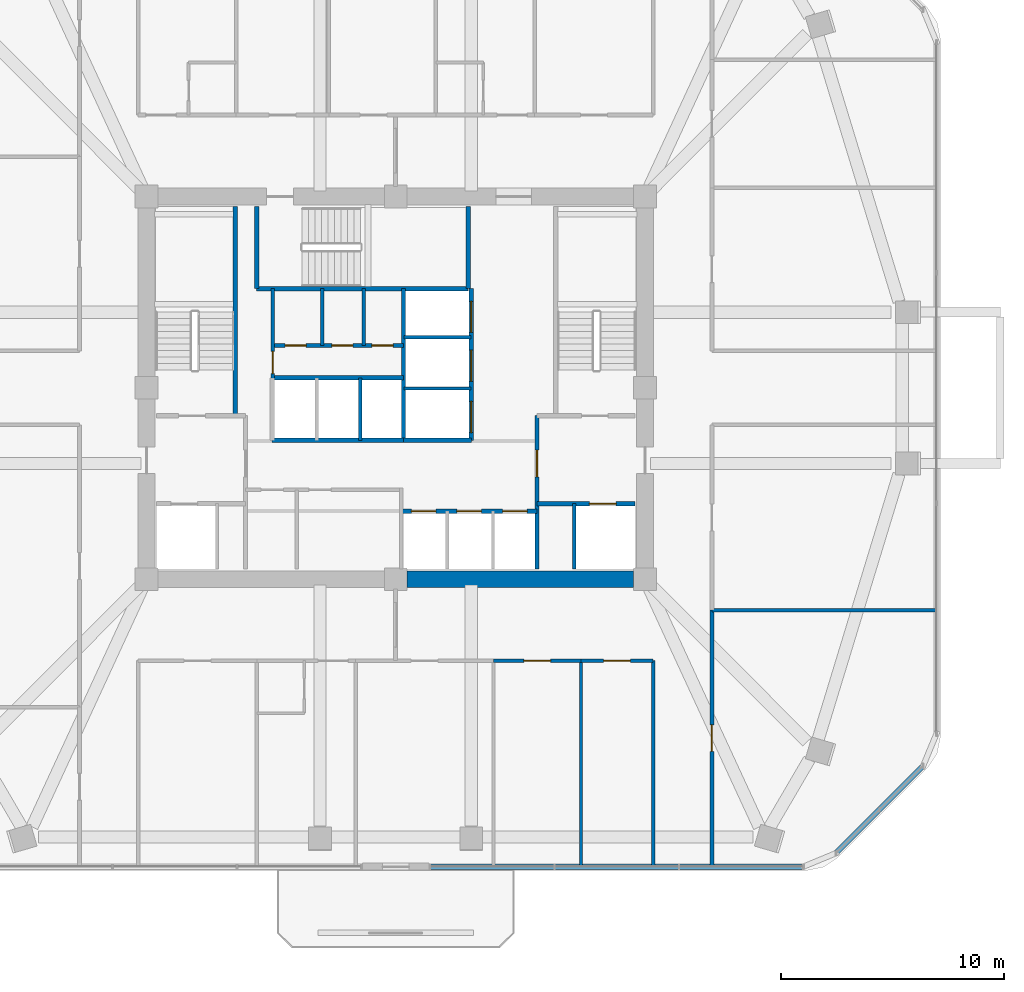
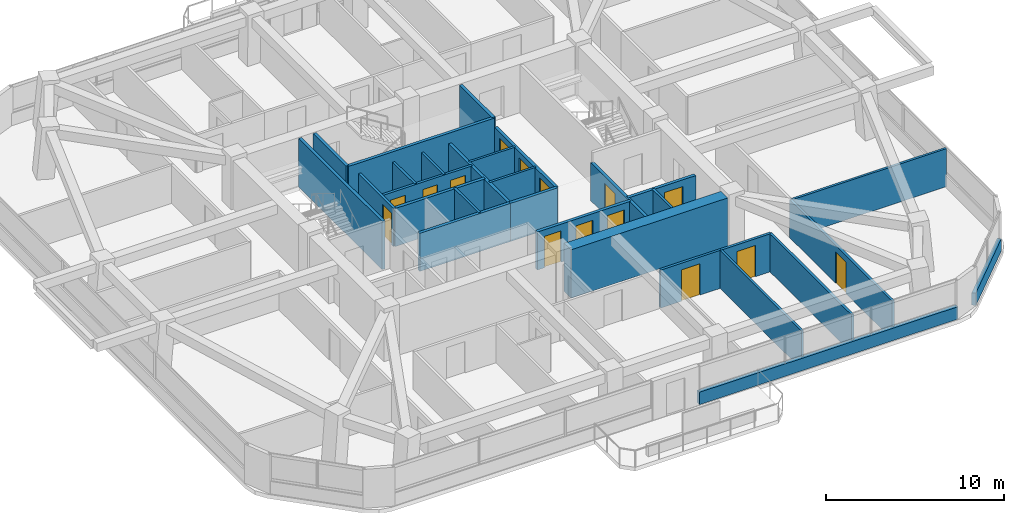
# One storey, part 9 of 13: 29 walls, 15 doors, 15 openings.
"""IFC4 building model written with IfcOpenShell, lengths in metres."""

from ifc_helpers import new_model, si_unit, derived_unit, direction, frame, frame_2d, origin, place, context, subcontext, project, spatial, rectangle, extrude, material, layer, layer_set, type_object, element, fill, save


model = new_model("IFC4")

# Units and contexts
model_context = context("Model", 3, precision=1e-05, world=origin(), true_north=direction((0.0, 1.0)))
body_context = subcontext(model_context, "Body", "Model", "MODEL_VIEW")
ifc_project = project(units=[si_unit("LENGTHUNIT", "METRE"), si_unit("AREAUNIT", "SQUARE_METRE"), si_unit("VOLUMEUNIT", "CUBIC_METRE"), si_unit("PLANEANGLEUNIT", "RADIAN"), si_unit("MASSUNIT", "GRAM", prefix="KILO"), derived_unit("THERMALTRANSMITTANCEUNIT", [(si_unit("POWERUNIT", "WATT"), 1), (si_unit("LENGTHUNIT", "METRE"), -2), (si_unit("THERMODYNAMICTEMPERATUREUNIT", "KELVIN"), -1)])], contexts=[model_context])

# Site, building, storey
site_placement = place(None, origin())
site = spatial("IfcSite", under=ifc_project, at=site_placement, CompositionType="ELEMENT")
building_placement = place(site_placement, origin())
building = spatial("IfcBuilding", under=site, at=building_placement, Name="Koralith Skygarden Medical Center", CompositionType="ELEMENT")
storey_placement = place(building_placement, frame((0.0, 0.0, 117.179931640625)))
storey = spatial("IfcBuildingStorey", under=building, at=storey_placement, Name="L30", CompositionType="ELEMENT", Elevation=117.179931640625)

# Walls
ifc_material_1 = material(Name="Gypsum Board Partition")
ifc_layer_1 = layer(ifc_material_1, 0.14990234375)
ifc_layer_set_1 = layer_set([ifc_layer_1], Name="Gypsum Board Partition")
wall_type_1 = type_object("IfcWallType", Name="Clinical Acoustic Partition 150", PredefinedType="PARTITIONING", material=ifc_layer_set_1)
for number, where, z_axis, x_axis, name in (
    (1, (33.699951171875, 27.800048828125, 0.0), (0.0, 0.0, 1.0), (0.0, 1.0, 0.0), "L30 Clinical Acoustic Partition 150 W-CORE-L30-FLEX-V2A"),
    (2, (35.56005859375, 27.800048828125, 0.0), (0.0, 0.0, 1.0), (0.0, 1.0, 0.0), "L30 Clinical Acoustic Partition 150 W-CORE-L30-FLEX-V2B"),
):
    element("IfcWall", number, at=place(storey_placement, frame(where, z_axis=z_axis, x_axis=x_axis)), inside=storey, type_object=wall_type_1, Name=name, PredefinedType="PARTITIONING", context=body_context, shape_type="SweptSolid", body=[
        extrude(rectangle(XDim=2.56005859375, YDim=0.14990234375, at=frame_2d((1.280029296875, 0.0))), origin(), (0.0, 0.0, 1.0), 2.610107421875),
    ])
wall_1_placement = place(storey_placement, frame((45.322998046875, 13.639892578125, 0.0), z_axis=(0.0, 0.0, 1.0), x_axis=(0.0, -1.0, 0.0)))
element("IfcWall", 3, at=wall_1_placement, inside=storey, type_object=wall_type_1, Name="L30 Clinical Acoustic Partition 150 W-PART-L30-S-04", PredefinedType="PARTITIONING", context=body_context, shape_type="SweptSolid", body=[
    extrude(rectangle(XDim=9.23193359375, YDim=0.14990234375, at=frame_2d((4.615966796875, 0.0))), origin(), (0.0, 0.0, 1.0), 2.610107421875),
])
wall_2_placement = place(storey_placement, frame((51.2099609375, 15.910888671875, 0.0), z_axis=(0.0, 0.0, 1.0), x_axis=(1.0, 0.0, 0.0)))
element("IfcWall", 4, at=wall_2_placement, inside=storey, type_object=wall_type_1, Name="L30 Clinical Acoustic Partition 150 W-PART-L30-ES-01", PredefinedType="PARTITIONING", context=body_context, shape_type="SweptSolid", body=[
    extrude(rectangle(XDim=10.072021484375, YDim=0.14990234375, at=frame_2d((5.0361328125, 0.0))), origin(), (0.0, 0.0, 1.0), 2.610107421875),
])
ifc_layer_2 = layer(ifc_material_1, 0.1650390625)
ifc_layer_set_2 = layer_set([ifc_layer_2], Name="Gypsum Board Partition")
wall_type_2 = type_object("IfcWallType", Name="Clinical Corridor Partition 165", PredefinedType="PARTITIONING", material=ifc_layer_set_2)
wall_3_placement = place(storey_placement, frame((48.570068359375, 4.407958984375, 0.0), z_axis=(0.0, 0.0, 1.0), x_axis=(0.0, 1.0, 0.0)))
element("IfcWall", 5, at=wall_3_placement, inside=storey, type_object=wall_type_2, Name="L30 Clinical Corridor Partition 165 W-HCOR-L30-SE", PredefinedType="PARTITIONING", context=body_context, shape_type="SweptSolid", body=[
    extrude(rectangle(XDim=9.23193359375, YDim=0.1650390625, at=frame_2d((4.615966796875, 0.0))), origin(), (0.0, 0.0, 1.0), 2.610107421875),
])

# Wall, opening, door
wall_4_placement = place(storey_placement, frame((41.39306640625, 13.639892578125, 0.0), z_axis=(0.0, 0.0, 1.0), x_axis=(1.0, 0.0, 0.0)))
wall_4 = element("IfcWall", 6, at=wall_4_placement, inside=storey, type_object=wall_type_2, Name="L30 Clinical Corridor Partition 165 W-CORR-L30-S-04", PredefinedType="PARTITIONING", context=body_context, shape_type="SweptSolid", body=[
    extrude(rectangle(XDim=3.929931640625, YDim=0.1650390625, at=frame_2d((1.96484375, 0.0))), origin(), (0.0, 0.0, 1.0), 2.610107421875),
])
opening_1_placement = place(wall_4_placement, frame((1.364990234375, 0.0, 0.0)))
opening_1 = element("IfcOpeningElement", 7, at=opening_1_placement, cuts=wall_4, Name="Opening D-CLN", PredefinedType="OPENING", context=body_context, shape_type="SweptSolid", body=[
    extrude(rectangle(XDim=1.199951171875, YDim=2.14990234375, at=frame_2d((0.60009765625, 1.074951171875))), frame((0.0, 0.092529296875, 0.0), z_axis=(0.0, -1.0, 0.0), x_axis=(1.0, 0.0, 0.0)), (0.0, 0.0, 1.0), 0.18505859375),
])
ifc_material_2 = material(Name="Aluminium 6063-T6", Category="aluminium")
door_type_1 = type_object("IfcDoorType", Name="Clinical Corridor Door D-CLN 1200", OperationType="NOTDEFINED", PredefinedType="DOOR", material=ifc_material_2)
door_1_placement = place(opening_1_placement, frame((1.199951171875, 0.0, 0.0), z_axis=(0.0, 0.0, 1.0), x_axis=(-1.0, 0.0, 0.0)))
door_1 = element("IfcDoor", 8, at=door_1_placement, inside=storey, type_object=door_type_1, Name="L30 Public Accessible Restroom WC 09 Door", OperationType="SINGLE_SWING_RIGHT", OverallHeight=2.14990234375, OverallWidth=1.199951171875, PredefinedType="DOOR", context=body_context, shape_type="SweptSolid", body=[
    extrude(rectangle(XDim=1.199951171875, YDim=2.14990234375, at=frame_2d((0.60009765625, 1.074951171875))), frame((0.0, 0.02490234375, 0.0), z_axis=(0.0, -1.0, 0.0), x_axis=(1.0, 0.0, 0.0)), (0.0, 0.0, 1.0), 0.050048828125),
])
fill(opening_1, door_1)

wall_5_placement = place(storey_placement, frame((45.322998046875, 13.639892578125, 0.0), z_axis=(0.0, 0.0, 1.0), x_axis=(1.0, 0.0, 0.0)))
wall_5 = element("IfcWall", 9, at=wall_5_placement, inside=storey, type_object=wall_type_2, Name="L30 Clinical Corridor Partition 165 W-CORR-L30-S-05", PredefinedType="PARTITIONING", context=body_context, shape_type="SweptSolid", body=[
    extrude(rectangle(XDim=3.2470703125, YDim=0.1650390625, at=frame_2d((1.62353515625, 0.0))), origin(), (0.0, 0.0, 1.0), 2.610107421875),
])
opening_2_placement = place(wall_5_placement, frame((1.02294921875, 0.0, 0.0)))
opening_2 = element("IfcOpeningElement", 10, at=opening_2_placement, cuts=wall_5, Name="Opening D-CLN", PredefinedType="OPENING", context=body_context, shape_type="SweptSolid", body=[
    extrude(rectangle(XDim=1.199951171875, YDim=2.14990234375, at=frame_2d((0.60009765625, 1.074951171875))), frame((0.0, 0.092529296875, 0.0), z_axis=(0.0, -1.0, 0.0), x_axis=(1.0, 0.0, 0.0)), (0.0, 0.0, 1.0), 0.18505859375),
])
door_2_placement = place(opening_2_placement, frame((1.199951171875, 0.0, 0.0), z_axis=(0.0, 0.0, 1.0), x_axis=(-1.0, 0.0, 0.0)))
door_2 = element("IfcDoor", 11, at=door_2_placement, inside=storey, type_object=door_type_1, Name="L30 Cardiopulmonary Rehab Gym Hall 10 Door", OperationType="SINGLE_SWING_LEFT", OverallHeight=2.14990234375, OverallWidth=1.199951171875, PredefinedType="DOOR", context=body_context, shape_type="SweptSolid", body=[
    extrude(rectangle(XDim=1.199951171875, YDim=2.14990234375, at=frame_2d((0.60009765625, 1.074951171875))), frame((0.0, 0.02490234375, 0.0), z_axis=(0.0, -1.0, 0.0), x_axis=(1.0, 0.0, 0.0)), (0.0, 0.0, 1.0), 0.050048828125),
])
fill(opening_2, door_2)

wall_6_placement = place(storey_placement, frame((51.2099609375, 4.407958984375, 0.0), z_axis=(0.0, 0.0, 1.0), x_axis=(0.0, 1.0, 0.0)))
wall_6 = element("IfcWall", 12, at=wall_6_placement, inside=storey, type_object=wall_type_2, Name="L30 Clinical Corridor Partition 165 W-CORR-L30-ES-01", PredefinedType="PARTITIONING", context=body_context, shape_type="SweptSolid", body=[
    extrude(rectangle(XDim=11.5029296875, YDim=0.1650390625, at=frame_2d((5.75146484375, 0.0))), origin(), (0.0, 0.0, 1.0), 2.610107421875),
])
opening_3_placement = place(wall_6_placement, frame((5.152099609375, 0.0, 0.0)))
opening_3 = element("IfcOpeningElement", 13, at=opening_3_placement, cuts=wall_6, Name="Opening D-CLN", PredefinedType="OPENING", context=body_context, shape_type="SweptSolid", body=[
    extrude(rectangle(XDim=1.199951171875, YDim=2.14990234375, at=frame_2d((0.60009765625, 1.074951171875))), frame((0.0, 0.092529296875, 0.0), z_axis=(0.0, -1.0, 0.0), x_axis=(1.0, 0.0, 0.0)), (0.0, 0.0, 1.0), 0.18505859375),
])
door_3_placement = place(opening_3_placement, origin())
door_3 = element("IfcDoor", 14, at=door_3_placement, inside=storey, type_object=door_type_1, Name="L30 Patient Rest Lounge 15 Door", OperationType="SINGLE_SWING_RIGHT", OverallHeight=2.14990234375, OverallWidth=1.199951171875, PredefinedType="DOOR", context=body_context, shape_type="SweptSolid", body=[
    extrude(rectangle(XDim=1.199951171875, YDim=2.14990234375, at=frame_2d((0.60009765625, 1.074951171875))), frame((0.0, 0.02490234375, 0.0), z_axis=(0.0, -1.0, 0.0), x_axis=(1.0, 0.0, 0.0)), (0.0, 0.0, 1.0), 0.050048828125),
])
fill(opening_3, door_3)

ifc_layer_3 = layer(ifc_material_1, 0.199951171875)
ifc_layer_set_3 = layer_set([ifc_layer_3], Name="Gypsum Board Partition")
wall_type_3 = type_object("IfcWallType", Name="Fire Shaft Wall 200", PredefinedType="SOLIDWALL", material=ifc_layer_set_3)
wall_7_placement = place(storey_placement, frame((43.35009765625, 20.699951171875, 0.0), z_axis=(0.0, 0.0, 1.0), x_axis=(1.0, 0.0, 0.0)))
wall_7 = element("IfcWall", 15, at=wall_7_placement, inside=storey, type_object=wall_type_3, Name="L30 Fire Shaft Wall 200 W-CORE-L30-FF2-N", PredefinedType="SOLIDWALL", context=body_context, shape_type="SweptSolid", body=[
    extrude(rectangle(XDim=4.39990234375, YDim=0.199951171875, at=frame_2d((2.199951171875, 0.0))), origin(), (0.0, 0.0, 1.0), 2.610107421875),
])
opening_4_placement = place(wall_7_placement, frame((2.35009765625, 0.0, 0.0)))
opening_4 = element("IfcOpeningElement", 16, at=opening_4_placement, cuts=wall_7, Name="Opening LD-FF", PredefinedType="OPENING", context=body_context, shape_type="SweptSolid", body=[
    extrude(rectangle(XDim=1.199951171875, YDim=2.14990234375, at=frame_2d((0.60009765625, 1.074951171875))), frame((0.0, 0.10986328125, 0.0), z_axis=(0.0, -1.0, 0.0), x_axis=(1.0, 0.0, 0.0)), (0.0, 0.0, 1.0), 0.219970703125),
])
ifc_material_3 = material(Name="Steel ASTM A500 Grade C", Category="steel")
door_type_2 = type_object("IfcDoorType", Name="Fire Lift Sliding Landing Door LD-FF 1200", OperationType="NOTDEFINED", PredefinedType="DOOR", material=ifc_material_3)
door_4_placement = place(opening_4_placement, origin())
door_4 = element("IfcDoor", 17, at=door_4_placement, inside=storey, type_object=door_type_2, Name="L30 Fire Service Elevator FF2 Landing Door", OperationType="SLIDING_TO_RIGHT", OverallHeight=2.14990234375, OverallWidth=1.199951171875, PredefinedType="DOOR", context=body_context, shape_type="SweptSolid", body=[
    extrude(rectangle(XDim=1.199951171875, YDim=2.14990234375, at=frame_2d((0.60009765625, 1.074951171875))), frame((0.0, 0.02490234375, 0.0), z_axis=(0.0, -1.0, 0.0), x_axis=(1.0, 0.0, 0.0)), (0.0, 0.0, 1.0), 0.050048828125),
])
fill(opening_4, door_4)

wall_8_placement = place(storey_placement, frame((43.35009765625, 17.75, 0.0), z_axis=(0.0, 0.0, 1.0), x_axis=(0.0, 1.0, 0.0)))
wall_8 = element("IfcWall", 18, at=wall_8_placement, inside=storey, type_object=wall_type_3, Name="L30 Fire Shaft Wall 200 W-CORE-L30-FSAEE-W", PredefinedType="SOLIDWALL", context=body_context, shape_type="SweptSolid", body=[
    extrude(rectangle(XDim=6.89990234375, YDim=0.199951171875, at=frame_2d((3.449951171875, 0.0))), origin(), (0.0, 0.0, 1.0), 2.610107421875),
])
opening_5_placement = place(wall_8_placement, frame((4.14990234375, 0.0, 0.0)))
opening_5 = element("IfcOpeningElement", 19, at=opening_5_placement, cuts=wall_8, Name="Opening D-ST60", PredefinedType="OPENING", context=body_context, shape_type="SweptSolid", body=[
    extrude(rectangle(XDim=1.199951171875, YDim=2.14990234375, at=frame_2d((0.60009765625, 1.074951171875))), frame((0.0, 0.10986328125, 0.0), z_axis=(0.0, -1.0, 0.0), x_axis=(1.0, 0.0, 0.0)), (0.0, 0.0, 1.0), 0.219970703125),
])
door_type_3 = type_object("IfcDoorType", Name="Smokeproof Stair Fire Door FD60S 1200", OperationType="NOTDEFINED", PredefinedType="DOOR", material=ifc_material_3)
door_5_placement = place(opening_5_placement, frame((1.199951171875, 0.0, 0.0), z_axis=(0.0, 0.0, 1.0), x_axis=(-1.0, 0.0, 0.0)))
door_5 = element("IfcDoor", 20, at=door_5_placement, inside=storey, type_object=door_type_3, Name="L30 East Firefighting Lobby Inner Fire Door", OperationType="SINGLE_SWING_RIGHT", OverallHeight=2.14990234375, OverallWidth=1.199951171875, PredefinedType="DOOR", context=body_context, shape_type="SweptSolid", body=[
    extrude(rectangle(XDim=1.199951171875, YDim=2.14990234375, at=frame_2d((0.60009765625, 1.074951171875))), frame((0.0, 0.02490234375, 0.0), z_axis=(0.0, -1.0, 0.0), x_axis=(1.0, 0.0, 0.0)), (0.0, 0.0, 1.0), 0.050048828125),
])
fill(opening_5, door_5)

# Wall, openings, doors
wall_9_placement = place(storey_placement, frame((37.25, 20.360107421875, 0.0), z_axis=(0.0, 0.0, 1.0), x_axis=(1.0, 0.0, 0.0)))
wall_9 = element("IfcWall", 21, at=wall_9_placement, inside=storey, type_object=wall_type_3, Name="L30 Fire Shaft Wall 200 W-CORE-L30-PM-N", PredefinedType="SOLIDWALL", context=body_context, shape_type="SweptSolid", body=[
    extrude(rectangle(XDim=6.10009765625, YDim=0.199951171875, at=frame_2d((3.050048828125, 0.0))), origin(), (0.0, 0.0, 1.0), 2.610107421875),
])
opening_6_placement = place(wall_9_placement, frame((0.449951171875, 0.0, 0.0)))
opening_6 = element("IfcOpeningElement", 22, at=opening_6_placement, cuts=wall_9, Name="Opening LD-P", PredefinedType="OPENING", context=body_context, shape_type="SweptSolid", body=[
    extrude(rectangle(XDim=1.10009765625, YDim=2.14990234375, at=frame_2d((0.550048828125, 1.074951171875))), frame((0.0, 0.10986328125, 0.0), z_axis=(0.0, -1.0, 0.0), x_axis=(1.0, 0.0, 0.0)), (0.0, 0.0, 1.0), 0.219970703125),
])
opening_7_placement = place(wall_9_placement, frame((2.5, 0.0, 0.0)))
opening_7 = element("IfcOpeningElement", 23, at=opening_7_placement, cuts=wall_9, Name="Opening LD-P", PredefinedType="OPENING", context=body_context, shape_type="SweptSolid", body=[
    extrude(rectangle(XDim=1.10009765625, YDim=2.14990234375, at=frame_2d((0.550048828125, 1.074951171875))), frame((0.0, 0.10986328125, 0.0), z_axis=(0.0, -1.0, 0.0), x_axis=(1.0, 0.0, 0.0)), (0.0, 0.0, 1.0), 0.219970703125),
])
opening_8_placement = place(wall_9_placement, frame((4.550048828125, 0.0, 0.0)))
opening_8 = element("IfcOpeningElement", 24, at=opening_8_placement, cuts=wall_9, Name="Opening LD-P", PredefinedType="OPENING", context=body_context, shape_type="SweptSolid", body=[
    extrude(rectangle(XDim=1.10009765625, YDim=2.14990234375, at=frame_2d((0.550048828125, 1.074951171875))), frame((0.0, 0.10986328125, 0.0), z_axis=(0.0, -1.0, 0.0), x_axis=(1.0, 0.0, 0.0)), (0.0, 0.0, 1.0), 0.219970703125),
])
door_type_4 = type_object("IfcDoorType", Name="Passenger Lift Sliding Landing Door LD-P 1100", OperationType="NOTDEFINED", PredefinedType="DOOR", material=ifc_material_3)
door_6_placement = place(opening_6_placement, origin())
door_6 = element("IfcDoor", 25, at=door_6_placement, inside=storey, type_object=door_type_4, Name="L30 Passenger Elevator PM1 Landing Door", OperationType="SLIDING_TO_LEFT", OverallHeight=2.14990234375, OverallWidth=1.10009765625, PredefinedType="DOOR", context=body_context, shape_type="SweptSolid", body=[
    extrude(rectangle(XDim=1.10009765625, YDim=2.14990234375, at=frame_2d((0.550048828125, 1.074951171875))), frame((0.0, 0.02490234375, 0.0), z_axis=(0.0, -1.0, 0.0), x_axis=(1.0, 0.0, 0.0)), (0.0, 0.0, 1.0), 0.050048828125),
])
fill(opening_6, door_6)
door_7_placement = place(opening_7_placement, origin())
door_7 = element("IfcDoor", 26, at=door_7_placement, inside=storey, type_object=door_type_4, Name="L30 Passenger Elevator PM2 Landing Door", OperationType="SLIDING_TO_LEFT", OverallHeight=2.14990234375, OverallWidth=1.10009765625, PredefinedType="DOOR", context=body_context, shape_type="SweptSolid", body=[
    extrude(rectangle(XDim=1.10009765625, YDim=2.14990234375, at=frame_2d((0.550048828125, 1.074951171875))), frame((0.0, 0.02490234375, 0.0), z_axis=(0.0, -1.0, 0.0), x_axis=(1.0, 0.0, 0.0)), (0.0, 0.0, 1.0), 0.050048828125),
])
fill(opening_7, door_7)
door_8_placement = place(opening_8_placement, origin())
door_8 = element("IfcDoor", 27, at=door_8_placement, inside=storey, type_object=door_type_4, Name="L30 Passenger Elevator PM3 Landing Door", OperationType="SLIDING_TO_LEFT", OverallHeight=2.14990234375, OverallWidth=1.10009765625, PredefinedType="DOOR", context=body_context, shape_type="SweptSolid", body=[
    extrude(rectangle(XDim=1.10009765625, YDim=2.14990234375, at=frame_2d((0.550048828125, 1.074951171875))), frame((0.0, 0.02490234375, 0.0), z_axis=(0.0, -1.0, 0.0), x_axis=(1.0, 0.0, 0.0)), (0.0, 0.0, 1.0), 0.050048828125),
])
fill(opening_8, door_8)

# Walls
for number, where, z_axis, x_axis, name in (
    (28, (31.449951171875, 23.5400390625, 0.0), (0.0, 0.0, 1.0), (1.0, 0.0, 0.0), "L30 Fire Shaft Wall 200 W-CORE-L30-PH-S"),
    (29, (31.449951171875, 26.35009765625, 0.0), (0.0, 0.0, 1.0), (1.0, 0.0, 0.0), "L30 Fire Shaft Wall 200 W-CORE-L30-PH-N"),
):
    element("IfcWall", number, at=place(storey_placement, frame(where, z_axis=z_axis, x_axis=x_axis)), inside=storey, type_object=wall_type_3, Name=name, PredefinedType="SOLIDWALL", context=body_context, shape_type="SweptSolid", body=[
        extrude(rectangle(XDim=5.900146484375, YDim=0.199951171875, at=frame_2d((2.9501953125, 0.0))), origin(), (0.0, 0.0, 1.0), 2.610107421875),
    ])
wall_10_placement = place(storey_placement, frame((37.35009765625, 23.5400390625, 0.0), z_axis=(0.0, 0.0, 1.0), x_axis=(0.0, 1.0, 0.0)))
element("IfcWall", 30, at=wall_10_placement, inside=storey, type_object=wall_type_3, Name="L30 Fire Shaft Wall 200 W-CORE-L30-SV-W", PredefinedType="SOLIDWALL", context=body_context, shape_type="SweptSolid", body=[
    extrude(rectangle(XDim=6.820068359375, YDim=0.199951171875, at=frame_2d((3.41015625, 0.0))), origin(), (0.0, 0.0, 1.0), 2.610107421875),
])
wall_11_placement = place(storey_placement, frame((37.35009765625, 23.5400390625, 0.0), z_axis=(0.0, 0.0, 1.0), x_axis=(1.0, 0.0, 0.0)))
element("IfcWall", 31, at=wall_11_placement, inside=storey, type_object=wall_type_3, Name="L30 Fire Shaft Wall 200 W-CORE-L30-SV-S", PredefinedType="SOLIDWALL", context=body_context, shape_type="SweptSolid", body=[
    extrude(rectangle(XDim=3.0498046875, YDim=0.199951171875, at=frame_2d((1.52490234375, 0.0))), origin(), (0.0, 0.0, 1.0), 2.610107421875),
])

# Wall, openings, doors
wall_12_placement = place(storey_placement, frame((40.39990234375, 23.5400390625, 0.0), z_axis=(0.0, 0.0, 1.0), x_axis=(0.0, 1.0, 0.0)))
wall_12 = element("IfcWall", 32, at=wall_12_placement, inside=storey, type_object=wall_type_3, Name="L30 Fire Shaft Wall 200 W-CORE-L30-SV-E", PredefinedType="SOLIDWALL", context=body_context, shape_type="SweptSolid", body=[
    extrude(rectangle(XDim=6.820068359375, YDim=0.199951171875, at=frame_2d((3.41015625, 0.0))), origin(), (0.0, 0.0, 1.0), 2.610107421875),
])
opening_9_placement = place(wall_12_placement, frame((0.35009765625, 0.0, 0.0)))
opening_9 = element("IfcOpeningElement", 33, at=opening_9_placement, cuts=wall_12, Name="Opening LD-SV", PredefinedType="OPENING", context=body_context, shape_type="SweptSolid", body=[
    extrude(rectangle(XDim=1.39990234375, YDim=2.199951171875, at=frame_2d((0.699951171875, 1.10009765625))), frame((0.0, 0.10986328125, 0.0), z_axis=(0.0, -1.0, 0.0), x_axis=(1.0, 0.0, 0.0)), (0.0, 0.0, 1.0), 0.219970703125),
])
opening_10_placement = place(wall_12_placement, frame((2.64990234375, 0.0, 0.0)))
opening_10 = element("IfcOpeningElement", 34, at=opening_10_placement, cuts=wall_12, Name="Opening LD-SV", PredefinedType="OPENING", context=body_context, shape_type="SweptSolid", body=[
    extrude(rectangle(XDim=1.39990234375, YDim=2.199951171875, at=frame_2d((0.699951171875, 1.10009765625))), frame((0.0, 0.10986328125, 0.0), z_axis=(0.0, -1.0, 0.0), x_axis=(1.0, 0.0, 0.0)), (0.0, 0.0, 1.0), 0.219970703125),
])
opening_11_placement = place(wall_12_placement, frame((4.85009765625, 0.0, 0.0)))
opening_11 = element("IfcOpeningElement", 35, at=opening_11_placement, cuts=wall_12, Name="Opening LD-SV", PredefinedType="OPENING", context=body_context, shape_type="SweptSolid", body=[
    extrude(rectangle(XDim=1.39990234375, YDim=2.199951171875, at=frame_2d((0.699951171875, 1.10009765625))), frame((0.0, 0.10986328125, 0.0), z_axis=(0.0, -1.0, 0.0), x_axis=(1.0, 0.0, 0.0)), (0.0, 0.0, 1.0), 0.219970703125),
])
door_type_5 = type_object("IfcDoorType", Name="Bed Lift Sliding Landing Door LD-SV 1400", OperationType="NOTDEFINED", PredefinedType="DOOR", material=ifc_material_3)
door_9_placement = place(opening_9_placement, origin())
door_9 = element("IfcDoor", 36, at=door_9_placement, inside=storey, type_object=door_type_5, Name="L30 Bed Elevator BD1 Landing Door", OperationType="SLIDING_TO_LEFT", OverallHeight=2.199951171875, OverallWidth=1.39990234375, PredefinedType="DOOR", context=body_context, shape_type="SweptSolid", body=[
    extrude(rectangle(XDim=1.39990234375, YDim=2.199951171875, at=frame_2d((0.699951171875, 1.10009765625))), frame((0.0, 0.02490234375, 0.0), z_axis=(0.0, -1.0, 0.0), x_axis=(1.0, 0.0, 0.0)), (0.0, 0.0, 1.0), 0.050048828125),
])
fill(opening_9, door_9)
door_10_placement = place(opening_10_placement, origin())
door_10 = element("IfcDoor", 37, at=door_10_placement, inside=storey, type_object=door_type_5, Name="L30 Service Elevator BD2 Landing Door", OperationType="SLIDING_TO_LEFT", OverallHeight=2.199951171875, OverallWidth=1.39990234375, PredefinedType="DOOR", context=body_context, shape_type="SweptSolid", body=[
    extrude(rectangle(XDim=1.39990234375, YDim=2.199951171875, at=frame_2d((0.699951171875, 1.10009765625))), frame((0.0, 0.02490234375, 0.0), z_axis=(0.0, -1.0, 0.0), x_axis=(1.0, 0.0, 0.0)), (0.0, 0.0, 1.0), 0.050048828125),
])
fill(opening_10, door_10)
door_11_placement = place(opening_11_placement, origin())
door_11 = element("IfcDoor", 38, at=door_11_placement, inside=storey, type_object=door_type_5, Name="L30 Trauma Elevator TR1 Landing Door", OperationType="SLIDING_TO_RIGHT", OverallHeight=2.199951171875, OverallWidth=1.39990234375, PredefinedType="DOOR", context=body_context, shape_type="SweptSolid", body=[
    extrude(rectangle(XDim=1.39990234375, YDim=2.199951171875, at=frame_2d((0.699951171875, 1.10009765625))), frame((0.0, 0.02490234375, 0.0), z_axis=(0.0, -1.0, 0.0), x_axis=(1.0, 0.0, 0.0)), (0.0, 0.0, 1.0), 0.050048828125),
])
fill(opening_11, door_11)

# Walls
ifc_material_4 = material(Name="Warm Oolitic Limestone Cladding", Category="masonry")
ifc_layer_4 = layer(ifc_material_4, 0.239990234375)
ifc_layer_set_4 = layer_set([ifc_layer_4], Name="Warm Oolitic Limestone Cladding")
wall_type_4 = type_object("IfcWallType", Name="Limestone Spandrel Sill Backup Wall 240", PredefinedType="SOLIDWALL", material=ifc_layer_set_4)
wall_13_placement = place(storey_placement, frame((38.5400390625, 4.387939453125, 0.0), z_axis=(0.0, 0.0, 1.0), x_axis=(1.0, 0.0, 0.0)))
element("IfcWall", 39, at=wall_13_placement, inside=storey, type_object=wall_type_4, Name="L30 Sill Spandrel S-R", PredefinedType="SOLIDWALL", context=body_context, shape_type="SweptSolid", body=[
    extrude(rectangle(XDim=16.785888671875, YDim=0.239990234375, at=frame_2d((8.39306640625, 0.0))), origin(), (0.0, 0.0, 1.0), 0.85009765625),
])
wall_14_placement = place(storey_placement, frame((56.777099609375, 4.989013671875, 0.0), z_axis=(0.0, 0.0, 1.0), x_axis=(0.707084777957, 0.707128783731, 0.0)))
element("IfcWall", 40, at=wall_14_placement, inside=storey, type_object=wall_type_4, Name="L30 Sill Spandrel SE", PredefinedType="SOLIDWALL", context=body_context, shape_type="SweptSolid", body=[
    extrude(rectangle(XDim=5.5478515625, YDim=0.239990234375, at=frame_2d((2.77392578125, 0.0))), origin(), (0.0, 0.0, 1.0), 0.85009765625),
])
ifc_material_5 = material(Name="Concrete C70/85", Category="concrete")
ifc_layer_5 = layer(ifc_material_5, 0.75)
ifc_layer_set_5 = layer_set([ifc_layer_5], Name="Concrete C70/85")
wall_type_5 = type_object("IfcWallType", Name="Mid Core Shear Wall 750", PredefinedType="SHEAR", material=ifc_layer_set_5)
wall_15_placement = place(storey_placement, frame((37.5048828125, 17.300048828125, 0.0), z_axis=(0.0, 0.0, 1.0), x_axis=(1.0, 0.0, 0.0)))
element("IfcWall", 41, at=wall_15_placement, inside=storey, type_object=wall_type_5, Name="L30 Core Shear Wall Segment 2", PredefinedType="SHEAR", context=body_context, shape_type="SweptSolid", body=[
    extrude(rectangle(XDim=10.190185546875, YDim=0.75, at=frame_2d((5.09521484375, 0.0))), origin(), (0.0, 0.0, 1.0), 3.320068359375),
])

# Wall, opening, door
ifc_layer_6 = layer(ifc_material_1, 0.1650390625)
ifc_layer_set_6 = layer_set([ifc_layer_6], Name="Gypsum Board Partition")
wall_type_6 = type_object("IfcWallType", Name="Plumbing Wet Wall 165", PredefinedType="PLUMBINGWALL", material=ifc_layer_set_6)
wall_16_placement = place(storey_placement, frame((31.47998046875, 26.320068359375, 0.0), z_axis=(0.0, 0.0, 1.0), x_axis=(0.0, 1.0, 0.0)))
wall_16 = element("IfcWall", 42, at=wall_16_placement, inside=storey, type_object=wall_type_6, Name="L30 Plumbing Wet Wall 165 W-CORE-L30-FLEX-W", PredefinedType="PLUMBINGWALL", context=body_context, shape_type="SweptSolid", body=[
    extrude(rectangle(XDim=4.0400390625, YDim=0.1650390625, at=frame_2d((2.02001953125, 0.0))), origin(), (0.0, 0.0, 1.0), 2.610107421875),
])
opening_12_placement = place(wall_16_placement, frame((0.219970703125, 0.0, 0.0)))
opening_12 = element("IfcOpeningElement", 43, at=opening_12_placement, cuts=wall_16, Name="Opening D-SUP", PredefinedType="OPENING", context=body_context, shape_type="SweptSolid", body=[
    extrude(rectangle(XDim=1.0, YDim=2.14990234375, at=frame_2d((0.5, 1.074951171875))), frame((0.0, 0.092529296875, 0.0), z_axis=(0.0, -1.0, 0.0), x_axis=(1.0, 0.0, 0.0)), (0.0, 0.0, 1.0), 0.18505859375),
])
door_type_6 = type_object("IfcDoorType", Name="Clinical Support Door D-SUP 1000", OperationType="NOTDEFINED", PredefinedType="DOOR", material=ifc_material_2)
door_12_placement = place(opening_12_placement, frame((1.0, 0.0, 0.0), z_axis=(0.0, 0.0, 1.0), x_axis=(-1.0, 0.0, 0.0)))
door_12 = element("IfcDoor", 44, at=door_12_placement, inside=storey, type_object=door_type_6, Name="L30 Core Service Alcove Door", OperationType="SINGLE_SWING_LEFT", OverallHeight=2.14990234375, OverallWidth=1.0, PredefinedType="DOOR", context=body_context, shape_type="SweptSolid", body=[
    extrude(rectangle(XDim=1.0, YDim=2.14990234375, at=frame_2d((0.5, 1.074951171875))), frame((0.0, 0.02490234375, 0.0), z_axis=(0.0, -1.0, 0.0), x_axis=(1.0, 0.0, 0.0)), (0.0, 0.0, 1.0), 0.050048828125),
])
fill(opening_12, door_12)

# Wall, openings, doors
wall_17_placement = place(storey_placement, frame((31.47998046875, 27.800048828125, 0.0), z_axis=(0.0, 0.0, 1.0), x_axis=(1.0, 0.0, 0.0)))
wall_17 = element("IfcWall", 45, at=wall_17_placement, inside=storey, type_object=wall_type_6, Name="L30 Plumbing Wet Wall 165 W-CORE-L30-FLEX-H2", PredefinedType="PLUMBINGWALL", context=body_context, shape_type="SweptSolid", body=[
    extrude(rectangle(XDim=5.8701171875, YDim=0.1650390625, at=frame_2d((2.93505859375, 0.0))), origin(), (0.0, 0.0, 1.0), 2.610107421875),
])
opening_13_placement = place(wall_17_placement, frame((0.550048828125, 0.0, 0.0)))
opening_13 = element("IfcOpeningElement", 46, at=opening_13_placement, cuts=wall_17, Name="Opening D-WC", PredefinedType="OPENING", context=body_context, shape_type="SweptSolid", body=[
    extrude(rectangle(XDim=0.949951171875, YDim=2.10009765625, at=frame_2d((0.47509765625, 1.050048828125))), frame((0.0, 0.092529296875, 0.0), z_axis=(0.0, -1.0, 0.0), x_axis=(1.0, 0.0, 0.0)), (0.0, 0.0, 1.0), 0.18505859375),
])
opening_14_placement = place(wall_17_placement, frame((2.64990234375, 0.0, 0.0)))
opening_14 = element("IfcOpeningElement", 47, at=opening_14_placement, cuts=wall_17, Name="Opening D-WC", PredefinedType="OPENING", context=body_context, shape_type="SweptSolid", body=[
    extrude(rectangle(XDim=0.949951171875, YDim=2.10009765625, at=frame_2d((0.47509765625, 1.050048828125))), frame((0.0, 0.092529296875, 0.0), z_axis=(0.0, -1.0, 0.0), x_axis=(1.0, 0.0, 0.0)), (0.0, 0.0, 1.0), 0.18505859375),
])
opening_15_placement = place(wall_17_placement, frame((4.449951171875, 0.0, 0.0)))
opening_15 = element("IfcOpeningElement", 48, at=opening_15_placement, cuts=wall_17, Name="Opening D-WC", PredefinedType="OPENING", context=body_context, shape_type="SweptSolid", body=[
    extrude(rectangle(XDim=0.949951171875, YDim=2.10009765625, at=frame_2d((0.47509765625, 1.050048828125))), frame((0.0, 0.092529296875, 0.0), z_axis=(0.0, -1.0, 0.0), x_axis=(1.0, 0.0, 0.0)), (0.0, 0.0, 1.0), 0.18505859375),
])
door_type_7 = type_object("IfcDoorType", Name="Accessible Toilet Door D-WC 950", OperationType="NOTDEFINED", PredefinedType="DOOR", material=ifc_material_2)
door_13_placement = place(opening_13_placement, origin())
door_13 = element("IfcDoor", 49, at=door_13_placement, inside=storey, type_object=door_type_7, Name="L30 Core Accessible WC Door", OperationType="SINGLE_SWING_LEFT", OverallHeight=2.10009765625, OverallWidth=0.949951171875, PredefinedType="DOOR", context=body_context, shape_type="SweptSolid", body=[
    extrude(rectangle(XDim=0.949951171875, YDim=2.10009765625, at=frame_2d((0.47509765625, 1.050048828125))), frame((0.0, 0.02490234375, 0.0), z_axis=(0.0, -1.0, 0.0), x_axis=(1.0, 0.0, 0.0)), (0.0, 0.0, 1.0), 0.050048828125),
])
fill(opening_13, door_13)
door_14_placement = place(opening_14_placement, origin())
door_14 = element("IfcDoor", 50, at=door_14_placement, inside=storey, type_object=door_type_7, Name="L30 Soiled Sluice Door", OperationType="SINGLE_SWING_LEFT", OverallHeight=2.10009765625, OverallWidth=0.949951171875, PredefinedType="DOOR", context=body_context, shape_type="SweptSolid", body=[
    extrude(rectangle(XDim=0.949951171875, YDim=2.10009765625, at=frame_2d((0.47509765625, 1.050048828125))), frame((0.0, 0.02490234375, 0.0), z_axis=(0.0, -1.0, 0.0), x_axis=(1.0, 0.0, 0.0)), (0.0, 0.0, 1.0), 0.050048828125),
])
fill(opening_14, door_14)
door_15_placement = place(opening_15_placement, origin())
door_15 = element("IfcDoor", 51, at=door_15_placement, inside=storey, type_object=door_type_7, Name="L30 Clean Linen Store Door", OperationType="SINGLE_SWING_RIGHT", OverallHeight=2.10009765625, OverallWidth=0.949951171875, PredefinedType="DOOR", context=body_context, shape_type="SweptSolid", body=[
    extrude(rectangle(XDim=0.949951171875, YDim=2.10009765625, at=frame_2d((0.47509765625, 1.050048828125))), frame((0.0, 0.02490234375, 0.0), z_axis=(0.0, -1.0, 0.0), x_axis=(1.0, 0.0, 0.0)), (0.0, 0.0, 1.0), 0.050048828125),
])
fill(opening_15, door_15)

# Walls
ifc_layer_7 = layer(ifc_material_1, 0.14990234375)
ifc_layer_set_7 = layer_set([ifc_layer_7], Name="Gypsum Board Partition")
wall_type_7 = type_object("IfcWallType", Name="Shaft Partition Wall 150", PredefinedType="PARTITIONING", material=ifc_layer_set_7)
wall_18_placement = place(storey_placement, frame((45.02001953125, 17.75, 0.0), z_axis=(0.0, 0.0, 1.0), x_axis=(0.0, 1.0, 0.0)))
element("IfcWall", 52, at=wall_18_placement, inside=storey, type_object=wall_type_7, Name="L30 Shaft Partition Wall 150 W-CORE-L30-RSRE-DIV", PredefinedType="PARTITIONING", context=body_context, shape_type="SweptSolid", body=[
    extrude(rectangle(XDim=2.949951171875, YDim=0.14990234375, at=frame_2d((1.47509765625, 0.0))), origin(), (0.0, 0.0, 1.0), 2.610107421875),
])
wall_19_placement = place(storey_placement, frame((35.39990234375, 23.5400390625, 0.0), z_axis=(0.0, 0.0, 1.0), x_axis=(0.0, 1.0, 0.0)))
element("IfcWall", 53, at=wall_19_placement, inside=storey, type_object=wall_type_7, Name="L30 Shaft Partition Wall 150 W-CORE-L30-PH-D2", PredefinedType="PARTITIONING", context=body_context, shape_type="SweptSolid", body=[
    extrude(rectangle(XDim=2.81005859375, YDim=0.14990234375, at=frame_2d((1.405029296875, 0.0))), origin(), (0.0, 0.0, 1.0), 2.610107421875),
])
for number, where, z_axis, x_axis, name in (
    (54, (37.3701171875, 25.8701171875, 0.0), (0.0, 0.0, 1.0), (1.0, 0.0, 0.0), "L30 Shaft Partition Wall 150 W-CORE-L30-SV-D1"),
    (55, (37.3701171875, 28.169921875, 0.0), (0.0, 0.0, 1.0), (1.0, 0.0, 0.0), "L30 Shaft Partition Wall 150 W-CORE-L30-SV-D2"),
):
    element("IfcWall", number, at=place(storey_placement, frame(where, z_axis=z_axis, x_axis=x_axis)), inside=storey, type_object=wall_type_7, Name=name, PredefinedType="PARTITIONING", context=body_context, shape_type="SweptSolid", body=[
        extrude(rectangle(XDim=3.009765625, YDim=0.14990234375, at=frame_2d((1.5048828125, 0.0))), origin(), (0.0, 0.0, 1.0), 2.610107421875),
    ])
ifc_material_6 = material(Name="Concrete C45/55", Category="concrete")
ifc_layer_8 = layer(ifc_material_6, 0.199951171875)
ifc_layer_set_8 = layer_set([ifc_layer_8], Name="Concrete C45/55")
wall_type_8 = type_object("IfcWallType", Name="Structural Stair Shaft Wall 200", PredefinedType="SHEAR", material=ifc_layer_set_8)
wall_20_placement = place(storey_placement, frame((29.800048828125, 24.64990234375, 0.0), z_axis=(0.0, 0.0, 1.0), x_axis=(0.0, 1.0, 0.0)))
element("IfcWall", 56, at=wall_20_placement, inside=storey, type_object=wall_type_8, Name="L30 Structural Stair Shaft Wall 200 W-CORE-L30-ST1-E", PredefinedType="SHEAR", context=body_context, shape_type="SweptSolid", body=[
    extrude(rectangle(XDim=9.400146484375, YDim=0.199951171875, at=frame_2d((4.7001953125, 0.0))), origin(), (0.0, 0.0, 1.0), 3.320068359375),
])
wall_21_placement = place(storey_placement, frame((30.75, 30.360107421875, 0.0), z_axis=(0.0, 0.0, 1.0), x_axis=(1.0, 0.0, 0.0)))
element("IfcWall", 57, at=wall_21_placement, inside=storey, type_object=wall_type_8, Name="L30 Structural Stair Shaft Wall 200 W-CORE-L30-ST3-S", PredefinedType="SHEAR", context=body_context, shape_type="SweptSolid", body=[
    extrude(rectangle(XDim=9.5, YDim=0.199951171875, at=frame_2d((4.75, 0.0))), origin(), (0.0, 0.0, 1.0), 3.320068359375),
])
for number, where, z_axis, x_axis, name in (
    (58, (30.75, 30.360107421875, 0.0), (0.0, 0.0, 1.0), (0.0, 1.0, 0.0), "L30 Structural Stair Shaft Wall 200 W-CORE-L30-ST3-W"),
    (59, (40.25, 30.360107421875, 0.0), (0.0, 0.0, 1.0), (0.0, 1.0, 0.0), "L30 Structural Stair Shaft Wall 200 W-CORE-L30-ST3-E"),
):
    element("IfcWall", number, at=place(storey_placement, frame(where, z_axis=z_axis, x_axis=x_axis)), inside=storey, type_object=wall_type_8, Name=name, PredefinedType="SHEAR", context=body_context, shape_type="SweptSolid", body=[
        extrude(rectangle(XDim=3.68994140625, YDim=0.199951171875, at=frame_2d((1.844970703125, 0.0))), origin(), (0.0, 0.0, 1.0), 3.320068359375),
    ])

save(model, "model.ifc")
